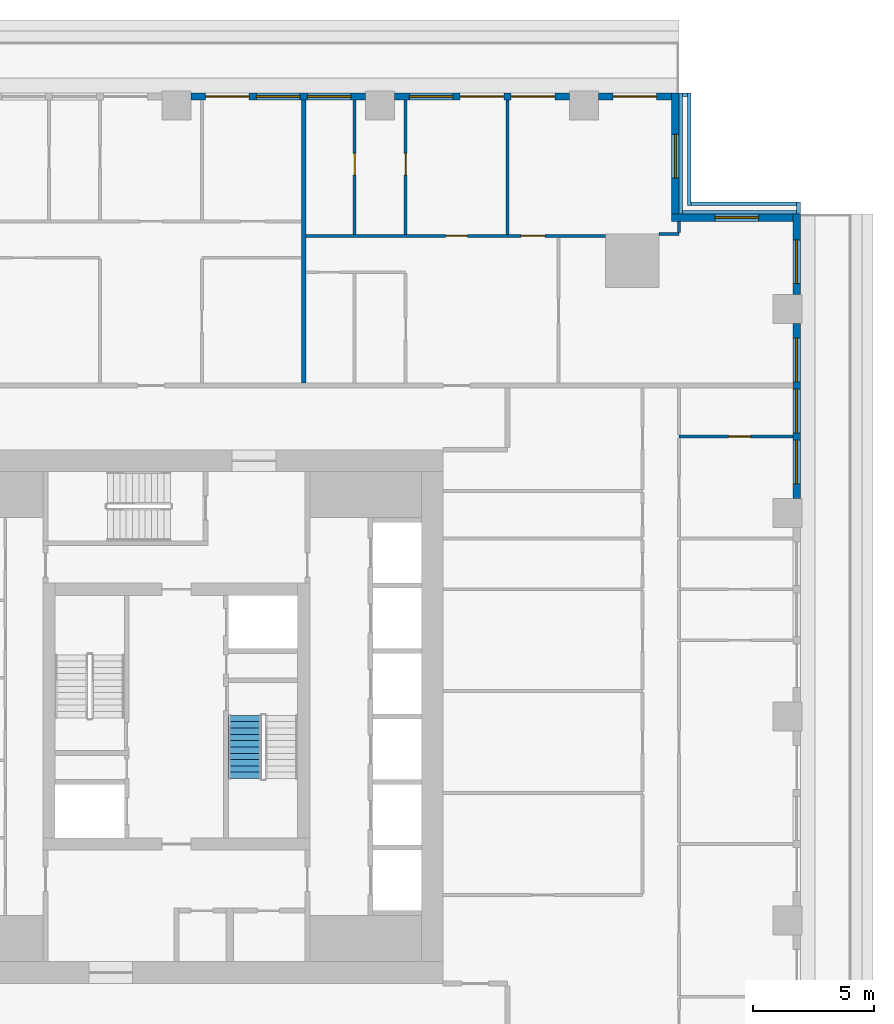
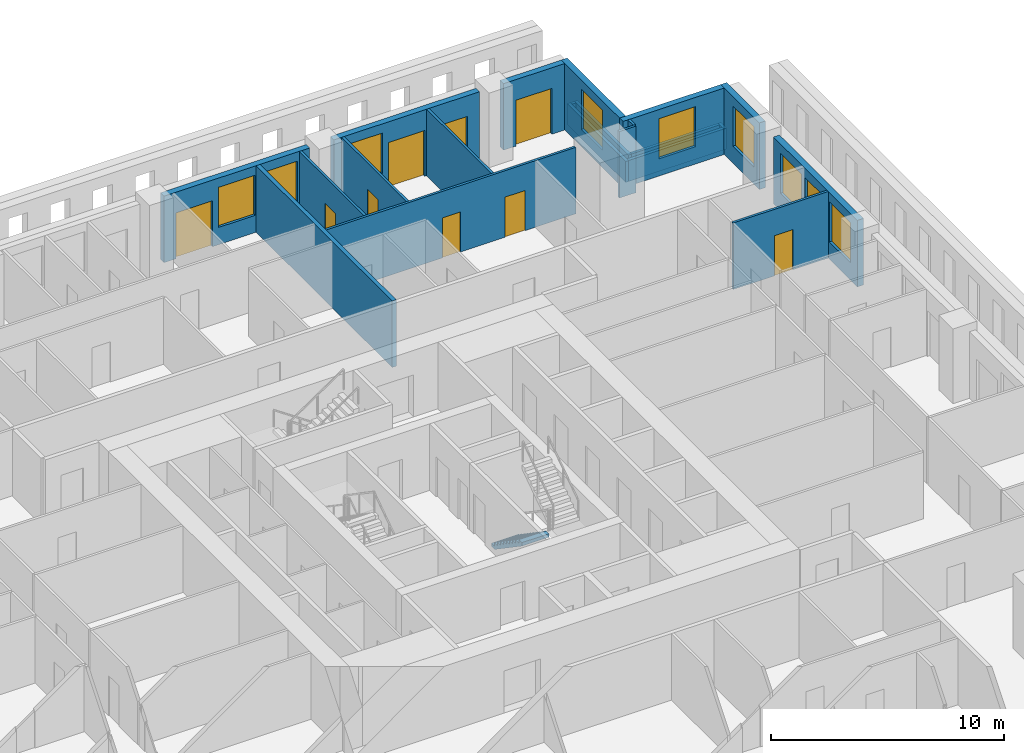
# One storey, part 10 of 16: 21 walls, 9 doors, 9 windows, 1 stair flight, 18 openings, 1 element without a shape of its own.
"""IFC4 building model written with IfcOpenShell, lengths in metres."""

from ifc_helpers import new_model, si_unit, direction, frame, frame_2d, origin, place, context, subcontext, project, spatial, polyline, rectangle, outline, extrude, material, layer, layer_set, type_object, element, fill, aggregate, save


model = new_model("IFC4")

# Units and contexts
model_context = context("Model", 3, precision=1e-05, world=origin(), true_north=direction((0.0, 1.0)))
body_context = subcontext(model_context, "Body", "Model", "MODEL_VIEW")
ifc_project = project(units=[si_unit("LENGTHUNIT", "METRE"), si_unit("AREAUNIT", "SQUARE_METRE"), si_unit("VOLUMEUNIT", "CUBIC_METRE"), si_unit("PLANEANGLEUNIT", "RADIAN"), si_unit("MASSUNIT", "GRAM", prefix="KILO")], contexts=[model_context])

# Site, building, storey
site_placement = place(None, origin())
site = spatial("IfcSite", under=ifc_project, at=site_placement, CompositionType="ELEMENT")
building_placement = place(site_placement, origin())
building = spatial("IfcBuilding", under=site, at=building_placement, Name="Khepri Terraces", CompositionType="ELEMENT")
storey_placement = place(building_placement, frame((0.0, 0.0, 240.60009765625)))
storey = spatial("IfcBuildingStorey", under=building, at=storey_placement, Name="L57", CompositionType="ELEMENT", Elevation=240.60009765625)

# Wall
ifc_material_1 = material(Name="Fire-rated gypsum plasterboard partition, mineral wool")
ifc_layer_1 = layer(ifc_material_1, 0.199951171875, Name="Fire-rated gypsum plasterboard partition, mineral wool")
ifc_layer_set_1 = layer_set([ifc_layer_1], Name="Fire-rated gypsum plasterboard partition, mineral wool")
wall_type_1 = type_object("IfcWallType", Name="WL-CORR-200", PredefinedType="PARTITIONING", material=ifc_layer_set_1)
wall_1_placement = place(storey_placement, frame((5.25, 13.75, 0.0), z_axis=(0.0, 0.0, 1.0), x_axis=(0.0, 1.0, 0.0)))
element("IfcWall", 1, at=wall_1_placement, inside=storey, type_object=wall_type_1, Name="Partition P-090 L57", PredefinedType="PARTITIONING", context=body_context, shape_type="SweptSolid", body=[
    extrude(rectangle(XDim=11.669921875, YDim=0.199951171875, at=frame_2d((5.8349609375, 0.0))), origin(), (0.0, 0.0, 1.0), 3.47998046875),
])

# Wall, openings, windows
ifc_material_2 = material(Name="Precast concrete C50/60 warm stone", Category="masonry")
ifc_layer_2 = layer(ifc_material_2, 0.300048828125, Name="Precast concrete C50/60 warm stone", Category="masonry")
ifc_layer_set_2 = layer_set([ifc_layer_2], Name="Precast concrete C50/60 warm stone")
wall_type_2 = type_object("IfcWallType", Name="WL-EXT-PRECAST-300", PredefinedType="STANDARD", material=ifc_layer_set_2)
wall_2_placement = place(storey_placement, frame((25.570068359375, 9.0, 0.0), z_axis=(0.0, 0.0, 1.0), x_axis=(0.0, 1.0, 0.0)))
wall_2 = element("IfcWall", 2, at=wall_2_placement, inside=storey, type_object=wall_type_2, Name="External wall L57 E", PredefinedType="STANDARD", context=body_context, shape_type="SweptSolid", body=[
    extrude(rectangle(XDim=7.199951171875, YDim=0.300048828125, at=frame_2d((3.60009765625, 0.0))), origin(), (0.0, 0.0, 1.0), 3.47998046875),
])
opening_1_placement = place(wall_2_placement, frame((0.60009765625, 0.0, 0.89990234375)))
opening_1 = element("IfcOpeningElement", 3, at=opening_1_placement, cuts=wall_2, Name="Opening W1", PredefinedType="OPENING", context=body_context, shape_type="SweptSolid", body=[
    extrude(rectangle(XDim=1.800048828125, YDim=2.10009765625, at=frame_2d((0.89990234375, 1.050048828125))), frame((0.0, 0.16015625, 0.0), z_axis=(0.0, -1.0, 0.0), x_axis=(1.0, 0.0, 0.0)), (0.0, 0.0, 1.0), 0.320068359375),
])
opening_2_placement = place(wall_2_placement, frame((2.699951171875, 0.0, 0.89990234375)))
opening_2 = element("IfcOpeningElement", 4, at=opening_2_placement, cuts=wall_2, Name="Opening W1", PredefinedType="OPENING", context=body_context, shape_type="SweptSolid", body=[
    extrude(rectangle(XDim=1.800048828125, YDim=2.10009765625, at=frame_2d((0.89990234375, 1.050048828125))), frame((0.0, 0.16015625, 0.0), z_axis=(0.0, -1.0, 0.0), x_axis=(1.0, 0.0, 0.0)), (0.0, 0.0, 1.0), 0.320068359375),
])
opening_3_placement = place(wall_2_placement, frame((4.800048828125, 0.0, 0.89990234375)))
opening_3 = element("IfcOpeningElement", 5, at=opening_3_placement, cuts=wall_2, Name="Opening W1", PredefinedType="OPENING", context=body_context, shape_type="SweptSolid", body=[
    extrude(rectangle(XDim=1.800048828125, YDim=2.10009765625, at=frame_2d((0.89990234375, 1.050048828125))), frame((0.0, 0.16015625, 0.0), z_axis=(0.0, -1.0, 0.0), x_axis=(1.0, 0.0, 0.0)), (0.0, 0.0, 1.0), 0.320068359375),
])
ifc_material_3 = material(Name="Clear glass", Category="glass")
window_type = type_object("IfcWindowType", Name="WIN-RES-1800x2100", PartitioningType="SINGLE_PANEL", PredefinedType="WINDOW", material=ifc_material_3)
window_1_placement = place(opening_1_placement, origin())
window_1 = element("IfcWindow", 6, at=window_1_placement, inside=storey, type_object=window_type, Name="Window L57 E", OverallHeight=2.10009765625, OverallWidth=1.800048828125, PartitioningType="SINGLE_PANEL", PredefinedType="WINDOW", context=body_context, shape_type="SweptSolid", body=[
    extrude(rectangle(XDim=1.800048828125, YDim=2.10009765625, at=frame_2d((0.89990234375, 1.050048828125))), frame((0.0, 0.030029296875, 0.0), z_axis=(0.0, -1.0, 0.0), x_axis=(1.0, 0.0, 0.0)), (0.0, 0.0, 1.0), 0.06005859375),
])
fill(opening_1, window_1)
window_2_placement = place(opening_2_placement, origin())
window_2 = element("IfcWindow", 7, at=window_2_placement, inside=storey, type_object=window_type, Name="Window L57 E", OverallHeight=2.10009765625, OverallWidth=1.800048828125, PartitioningType="SINGLE_PANEL", PredefinedType="WINDOW", context=body_context, shape_type="SweptSolid", body=[
    extrude(rectangle(XDim=1.800048828125, YDim=2.10009765625, at=frame_2d((0.89990234375, 1.050048828125))), frame((0.0, 0.030029296875, 0.0), z_axis=(0.0, -1.0, 0.0), x_axis=(1.0, 0.0, 0.0)), (0.0, 0.0, 1.0), 0.06005859375),
])
fill(opening_2, window_2)
window_3_placement = place(opening_3_placement, origin())
window_3 = element("IfcWindow", 8, at=window_3_placement, inside=storey, type_object=window_type, Name="Window L57 E", OverallHeight=2.10009765625, OverallWidth=1.800048828125, PartitioningType="SINGLE_PANEL", PredefinedType="WINDOW", context=body_context, shape_type="SweptSolid", body=[
    extrude(rectangle(XDim=1.800048828125, YDim=2.10009765625, at=frame_2d((0.89990234375, 1.050048828125))), frame((0.0, 0.030029296875, 0.0), z_axis=(0.0, -1.0, 0.0), x_axis=(1.0, 0.0, 0.0)), (0.0, 0.0, 1.0), 0.06005859375),
])
fill(opening_3, window_3)

# Wall, opening, window
wall_3_placement = place(storey_placement, frame((25.570068359375, 17.39990234375, 0.0), z_axis=(0.0, 0.0, 1.0), x_axis=(0.0, 1.0, 0.0)))
wall_3 = element("IfcWall", 9, at=wall_3_placement, inside=storey, type_object=wall_type_2, Name="External wall L57 E", PredefinedType="STANDARD", context=body_context, shape_type="SweptSolid", body=[
    extrude(rectangle(XDim=3.320068359375, YDim=0.300048828125, at=frame_2d((1.66015625, 0.0))), origin(), (0.0, 0.0, 1.0), 3.47998046875),
])
opening_4_placement = place(wall_3_placement, frame((0.45947265625, 0.0, 0.89990234375)))
opening_4 = element("IfcOpeningElement", 10, at=opening_4_placement, cuts=wall_3, Name="Opening W1", PredefinedType="OPENING", context=body_context, shape_type="SweptSolid", body=[
    extrude(rectangle(XDim=1.800048828125, YDim=2.10009765625, at=frame_2d((0.89990234375, 1.050048828125))), frame((0.0, 0.16015625, 0.0), z_axis=(0.0, -1.0, 0.0), x_axis=(1.0, 0.0, 0.0)), (0.0, 0.0, 1.0), 0.320068359375),
])
window_4_placement = place(opening_4_placement, origin())
window_4 = element("IfcWindow", 11, at=window_4_placement, inside=storey, type_object=window_type, Name="Window L57 E", OverallHeight=2.10009765625, OverallWidth=1.800048828125, PartitioningType="SINGLE_PANEL", PredefinedType="WINDOW", context=body_context, shape_type="SweptSolid", body=[
    extrude(rectangle(XDim=1.800048828125, YDim=2.10009765625, at=frame_2d((0.89990234375, 1.050048828125))), frame((0.0, 0.030029296875, 0.0), z_axis=(0.0, -1.0, 0.0), x_axis=(1.0, 0.0, 0.0)), (0.0, 0.0, 1.0), 0.06005859375),
])
fill(opening_4, window_4)

wall_4_placement = place(storey_placement, frame((25.419921875, 20.570068359375, 0.0), z_axis=(0.0, 0.0, 1.0), x_axis=(-1.0, 0.0, 0.0)))
wall_4 = element("IfcWall", 12, at=wall_4_placement, inside=storey, type_object=wall_type_2, Name="External wall L57 N", PredefinedType="STANDARD", context=body_context, shape_type="SweptSolid", body=[
    extrude(rectangle(XDim=5.0, YDim=0.300048828125, at=frame_2d((2.5, 0.0))), origin(), (0.0, 0.0, 1.0), 3.47998046875),
])
opening_5_placement = place(wall_4_placement, frame((1.419921875, 0.0, 0.89990234375)))
opening_5 = element("IfcOpeningElement", 13, at=opening_5_placement, cuts=wall_4, Name="Opening W1", PredefinedType="OPENING", context=body_context, shape_type="SweptSolid", body=[
    extrude(rectangle(XDim=1.800048828125, YDim=2.10009765625, at=frame_2d((0.89990234375, 1.050048828125))), frame((0.0, 0.16015625, 0.0), z_axis=(0.0, -1.0, 0.0), x_axis=(1.0, 0.0, 0.0)), (0.0, 0.0, 1.0), 0.320068359375),
])
window_5_placement = place(opening_5_placement, origin())
window_5 = element("IfcWindow", 14, at=window_5_placement, inside=storey, type_object=window_type, Name="Window L57 N", OverallHeight=2.10009765625, OverallWidth=1.800048828125, PartitioningType="SINGLE_PANEL", PredefinedType="WINDOW", context=body_context, shape_type="SweptSolid", body=[
    extrude(rectangle(XDim=1.800048828125, YDim=2.10009765625, at=frame_2d((0.89990234375, 1.050048828125))), frame((0.0, 0.030029296875, 0.0), z_axis=(0.0, -1.0, 0.0), x_axis=(1.0, 0.0, 0.0)), (0.0, 0.0, 1.0), 0.06005859375),
])
fill(opening_5, window_5)

wall_5_placement = place(storey_placement, frame((20.570068359375, 20.719970703125, 0.0), z_axis=(0.0, 0.0, 1.0), x_axis=(0.0, 1.0, 0.0)))
wall_5 = element("IfcWall", 15, at=wall_5_placement, inside=storey, type_object=wall_type_2, Name="External wall L57 E", PredefinedType="STANDARD", context=body_context, shape_type="SweptSolid", body=[
    extrude(rectangle(XDim=5.0, YDim=0.300048828125, at=frame_2d((2.5, 0.0))), origin(), (0.0, 0.0, 1.0), 3.47998046875),
])
opening_6_placement = place(wall_5_placement, frame((1.47998046875, 0.0, 0.89990234375)))
opening_6 = element("IfcOpeningElement", 16, at=opening_6_placement, cuts=wall_5, Name="Opening W1", PredefinedType="OPENING", context=body_context, shape_type="SweptSolid", body=[
    extrude(rectangle(XDim=1.800048828125, YDim=2.10009765625, at=frame_2d((0.89990234375, 1.050048828125))), frame((0.0, 0.16015625, 0.0), z_axis=(0.0, -1.0, 0.0), x_axis=(1.0, 0.0, 0.0)), (0.0, 0.0, 1.0), 0.320068359375),
])
window_6_placement = place(opening_6_placement, origin())
window_6 = element("IfcWindow", 17, at=window_6_placement, inside=storey, type_object=window_type, Name="Window L57 E", OverallHeight=2.10009765625, OverallWidth=1.800048828125, PartitioningType="SINGLE_PANEL", PredefinedType="WINDOW", context=body_context, shape_type="SweptSolid", body=[
    extrude(rectangle(XDim=1.800048828125, YDim=2.10009765625, at=frame_2d((0.89990234375, 1.050048828125))), frame((0.0, 0.030029296875, 0.0), z_axis=(0.0, -1.0, 0.0), x_axis=(1.0, 0.0, 0.0)), (0.0, 0.0, 1.0), 0.06005859375),
])
fill(opening_6, window_6)

# Wall, opening, door
wall_6_placement = place(storey_placement, frame((20.419921875, 25.570068359375, 0.0), z_axis=(0.0, 0.0, 1.0), x_axis=(-1.0, 0.0, 0.0)))
wall_6 = element("IfcWall", 18, at=wall_6_placement, inside=storey, type_object=wall_type_2, Name="External wall L57 N", PredefinedType="STANDARD", context=body_context, shape_type="SweptSolid", body=[
    extrude(rectangle(XDim=3.02001953125, YDim=0.300048828125, at=frame_2d((1.510009765625, 0.0))), origin(), (0.0, 0.0, 1.0), 3.47998046875),
])
opening_7_placement = place(wall_6_placement, frame((0.6201171875, 0.0, 0.0)))
opening_7 = element("IfcOpeningElement", 19, at=opening_7_placement, cuts=wall_6, Name="Opening ED-L57-07", PredefinedType="OPENING", context=body_context, shape_type="SweptSolid", body=[
    extrude(rectangle(XDim=1.800048828125, YDim=2.39990234375, at=frame_2d((0.89990234375, 1.199951171875))), frame((0.0, 0.16015625, 0.0), z_axis=(0.0, -1.0, 0.0), x_axis=(1.0, 0.0, 0.0)), (0.0, 0.0, 1.0), 0.320068359375),
])
ifc_material_4 = material(Name="Anodised aluminium bronze glazed door", Category="aluminium")
door_type_1 = type_object("IfcDoorType", Name="DR-BAL-SLIDE-1800x2400", OperationType="NOTDEFINED", PredefinedType="DOOR", material=ifc_material_4)
door_1_placement = place(opening_7_placement, origin())
door_1 = element("IfcDoor", 20, at=door_1_placement, inside=storey, type_object=door_type_1, Name="Balcony door L57 N", OperationType="SLIDING_TO_RIGHT", OverallHeight=2.39990234375, OverallWidth=1.800048828125, PredefinedType="DOOR", context=body_context, shape_type="SweptSolid", body=[
    extrude(rectangle(XDim=1.800048828125, YDim=2.39990234375, at=frame_2d((0.89990234375, 1.199951171875))), frame((0.0, 0.02490234375, 0.0), z_axis=(0.0, -1.0, 0.0), x_axis=(1.0, 0.0, 0.0)), (0.0, 0.0, 1.0), 0.050048828125),
])
fill(opening_7, door_1)

# Wall, openings, doors, window
wall_7_placement = place(storey_placement, frame((16.199951171875, 25.570068359375, 0.0), z_axis=(0.0, 0.0, 1.0), x_axis=(-1.0, 0.0, 0.0)))
wall_7 = element("IfcWall", 21, at=wall_7_placement, inside=storey, type_object=wall_type_2, Name="External wall L57 N", PredefinedType="STANDARD", context=body_context, shape_type="SweptSolid", body=[
    extrude(rectangle(XDim=7.199951171875, YDim=0.300048828125, at=frame_2d((3.60009765625, 0.0))), origin(), (0.0, 0.0, 1.0), 3.47998046875),
])
opening_8_placement = place(wall_7_placement, frame((0.60009765625, 0.0, 0.0)))
opening_8 = element("IfcOpeningElement", 22, at=opening_8_placement, cuts=wall_7, Name="Opening ED-L57-08", PredefinedType="OPENING", context=body_context, shape_type="SweptSolid", body=[
    extrude(rectangle(XDim=1.800048828125, YDim=2.39990234375, at=frame_2d((0.89990234375, 1.199951171875))), frame((0.0, 0.16015625, 0.0), z_axis=(0.0, -1.0, 0.0), x_axis=(1.0, 0.0, 0.0)), (0.0, 0.0, 1.0), 0.320068359375),
])
opening_9_placement = place(wall_7_placement, frame((2.699951171875, 0.0, 0.0)))
opening_9 = element("IfcOpeningElement", 23, at=opening_9_placement, cuts=wall_7, Name="Opening ED-L57-09", PredefinedType="OPENING", context=body_context, shape_type="SweptSolid", body=[
    extrude(rectangle(XDim=1.800048828125, YDim=2.39990234375, at=frame_2d((0.89990234375, 1.199951171875))), frame((0.0, 0.16015625, 0.0), z_axis=(0.0, -1.0, 0.0), x_axis=(1.0, 0.0, 0.0)), (0.0, 0.0, 1.0), 0.320068359375),
])
opening_10_placement = place(wall_7_placement, frame((4.800048828125, 0.0, 0.89990234375)))
opening_10 = element("IfcOpeningElement", 24, at=opening_10_placement, cuts=wall_7, Name="Opening W1", PredefinedType="OPENING", context=body_context, shape_type="SweptSolid", body=[
    extrude(rectangle(XDim=1.800048828125, YDim=2.10009765625, at=frame_2d((0.89990234375, 1.050048828125))), frame((0.0, 0.16015625, 0.0), z_axis=(0.0, -1.0, 0.0), x_axis=(1.0, 0.0, 0.0)), (0.0, 0.0, 1.0), 0.320068359375),
])
door_2_placement = place(opening_8_placement, origin())
door_2 = element("IfcDoor", 25, at=door_2_placement, inside=storey, type_object=door_type_1, Name="Balcony door L57 N", OperationType="SLIDING_TO_LEFT", OverallHeight=2.39990234375, OverallWidth=1.800048828125, PredefinedType="DOOR", context=body_context, shape_type="SweptSolid", body=[
    extrude(rectangle(XDim=1.800048828125, YDim=2.39990234375, at=frame_2d((0.89990234375, 1.199951171875))), frame((0.0, 0.02490234375, 0.0), z_axis=(0.0, -1.0, 0.0), x_axis=(1.0, 0.0, 0.0)), (0.0, 0.0, 1.0), 0.050048828125),
])
fill(opening_8, door_2)
door_3_placement = place(opening_9_placement, origin())
door_3 = element("IfcDoor", 26, at=door_3_placement, inside=storey, type_object=door_type_1, Name="Balcony door L57 N", OperationType="SLIDING_TO_RIGHT", OverallHeight=2.39990234375, OverallWidth=1.800048828125, PredefinedType="DOOR", context=body_context, shape_type="SweptSolid", body=[
    extrude(rectangle(XDim=1.800048828125, YDim=2.39990234375, at=frame_2d((0.89990234375, 1.199951171875))), frame((0.0, 0.02490234375, 0.0), z_axis=(0.0, -1.0, 0.0), x_axis=(1.0, 0.0, 0.0)), (0.0, 0.0, 1.0), 0.050048828125),
])
fill(opening_9, door_3)
window_7_placement = place(opening_10_placement, origin())
window_7 = element("IfcWindow", 27, at=window_7_placement, inside=storey, type_object=window_type, Name="Window L57 N", OverallHeight=2.10009765625, OverallWidth=1.800048828125, PartitioningType="SINGLE_PANEL", PredefinedType="WINDOW", context=body_context, shape_type="SweptSolid", body=[
    extrude(rectangle(XDim=1.800048828125, YDim=2.10009765625, at=frame_2d((0.89990234375, 1.050048828125))), frame((0.0, 0.030029296875, 0.0), z_axis=(0.0, -1.0, 0.0), x_axis=(1.0, 0.0, 0.0)), (0.0, 0.0, 1.0), 0.06005859375),
])
fill(opening_10, window_7)

# Wall, openings, door, windows
wall_8_placement = place(storey_placement, frame((7.800048828125, 25.570068359375, 0.0), z_axis=(0.0, 0.0, 1.0), x_axis=(-1.0, 0.0, 0.0)))
wall_8 = element("IfcWall", 28, at=wall_8_placement, inside=storey, type_object=wall_type_2, Name="External wall L57 N", PredefinedType="STANDARD", context=body_context, shape_type="SweptSolid", body=[
    extrude(rectangle(XDim=7.199951171875, YDim=0.300048828125, at=frame_2d((3.60009765625, 0.0))), origin(), (0.0, 0.0, 1.0), 3.47998046875),
])
opening_11_placement = place(wall_8_placement, frame((0.60009765625, 0.0, 0.89990234375)))
opening_11 = element("IfcOpeningElement", 29, at=opening_11_placement, cuts=wall_8, Name="Opening W1", PredefinedType="OPENING", context=body_context, shape_type="SweptSolid", body=[
    extrude(rectangle(XDim=1.800048828125, YDim=2.10009765625, at=frame_2d((0.89990234375, 1.050048828125))), frame((0.0, 0.16015625, 0.0), z_axis=(0.0, -1.0, 0.0), x_axis=(1.0, 0.0, 0.0)), (0.0, 0.0, 1.0), 0.320068359375),
])
opening_12_placement = place(wall_8_placement, frame((2.699951171875, 0.0, 0.89990234375)))
opening_12 = element("IfcOpeningElement", 30, at=opening_12_placement, cuts=wall_8, Name="Opening W1", PredefinedType="OPENING", context=body_context, shape_type="SweptSolid", body=[
    extrude(rectangle(XDim=1.800048828125, YDim=2.10009765625, at=frame_2d((0.89990234375, 1.050048828125))), frame((0.0, 0.16015625, 0.0), z_axis=(0.0, -1.0, 0.0), x_axis=(1.0, 0.0, 0.0)), (0.0, 0.0, 1.0), 0.320068359375),
])
opening_13_placement = place(wall_8_placement, frame((4.800048828125, 0.0, 0.0)))
opening_13 = element("IfcOpeningElement", 31, at=opening_13_placement, cuts=wall_8, Name="Opening ED-L57-10", PredefinedType="OPENING", context=body_context, shape_type="SweptSolid", body=[
    extrude(rectangle(XDim=1.800048828125, YDim=2.39990234375, at=frame_2d((0.89990234375, 1.199951171875))), frame((0.0, 0.16015625, 0.0), z_axis=(0.0, -1.0, 0.0), x_axis=(1.0, 0.0, 0.0)), (0.0, 0.0, 1.0), 0.320068359375),
])
door_4_placement = place(opening_13_placement, origin())
door_4 = element("IfcDoor", 32, at=door_4_placement, inside=storey, type_object=door_type_1, Name="Balcony door L57 N", OperationType="SLIDING_TO_RIGHT", OverallHeight=2.39990234375, OverallWidth=1.800048828125, PredefinedType="DOOR", context=body_context, shape_type="SweptSolid", body=[
    extrude(rectangle(XDim=1.800048828125, YDim=2.39990234375, at=frame_2d((0.89990234375, 1.199951171875))), frame((0.0, 0.02490234375, 0.0), z_axis=(0.0, -1.0, 0.0), x_axis=(1.0, 0.0, 0.0)), (0.0, 0.0, 1.0), 0.050048828125),
])
fill(opening_13, door_4)
window_8_placement = place(opening_11_placement, origin())
window_8 = element("IfcWindow", 33, at=window_8_placement, inside=storey, type_object=window_type, Name="Window L57 N", OverallHeight=2.10009765625, OverallWidth=1.800048828125, PartitioningType="SINGLE_PANEL", PredefinedType="WINDOW", context=body_context, shape_type="SweptSolid", body=[
    extrude(rectangle(XDim=1.800048828125, YDim=2.10009765625, at=frame_2d((0.89990234375, 1.050048828125))), frame((0.0, 0.030029296875, 0.0), z_axis=(0.0, -1.0, 0.0), x_axis=(1.0, 0.0, 0.0)), (0.0, 0.0, 1.0), 0.06005859375),
])
fill(opening_11, window_8)
window_9_placement = place(opening_12_placement, origin())
window_9 = element("IfcWindow", 34, at=window_9_placement, inside=storey, type_object=window_type, Name="Window L57 N", OverallHeight=2.10009765625, OverallWidth=1.800048828125, PartitioningType="SINGLE_PANEL", PredefinedType="WINDOW", context=body_context, shape_type="SweptSolid", body=[
    extrude(rectangle(XDim=1.800048828125, YDim=2.10009765625, at=frame_2d((0.89990234375, 1.050048828125))), frame((0.0, 0.030029296875, 0.0), z_axis=(0.0, -1.0, 0.0), x_axis=(1.0, 0.0, 0.0)), (0.0, 0.0, 1.0), 0.06005859375),
])
fill(opening_12, window_9)

# Walls
ifc_layer_3 = layer(ifc_material_2, 0.14990234375, Name="Precast concrete C50/60 warm stone", Category="masonry")
ifc_layer_set_3 = layer_set([ifc_layer_3], Name="Precast concrete C50/60 warm stone")
wall_type_3 = type_object("IfcWallType", Name="WL-PARAPET-150", PredefinedType="PARAPET", material=ifc_layer_set_3)
wall_9_placement = place(storey_placement, frame((20.794921875, 20.719970703125, 0.0), z_axis=(0.0, 0.0, 1.0), x_axis=(0.0, 1.0, 0.0)))
element("IfcWall", 35, at=wall_9_placement, inside=storey, type_object=wall_type_3, Name="Ledge parapet L57", PredefinedType="PARAPET", context=body_context, shape_type="SweptSolid", body=[
    extrude(rectangle(XDim=5.0, YDim=0.14990234375, at=frame_2d((2.5, 0.0))), origin(), (0.0, 0.0, 1.0), 1.099853515625),
])
wall_10_placement = place(storey_placement, frame((20.8701171875, 25.64501953125, 0.0), z_axis=(0.0, 0.0, 1.0), x_axis=(1.0, 0.0, 0.0)))
element("IfcWall", 36, at=wall_10_placement, inside=storey, type_object=wall_type_3, Name="Ledge parapet L57", PredefinedType="PARAPET", context=body_context, shape_type="SweptSolid", body=[
    extrude(rectangle(XDim=0.199951171875, YDim=0.14990234375, at=frame_2d((0.10009765625, 0.0))), origin(), (0.0, 0.0, 1.0), 1.099853515625),
])
wall_11_placement = place(storey_placement, frame((20.8701171875, 20.794921875, 0.0), z_axis=(0.0, 0.0, 1.0), x_axis=(1.0, 0.0, 0.0)))
element("IfcWall", 37, at=wall_11_placement, inside=storey, type_object=wall_type_3, Name="Ledge parapet L57", PredefinedType="PARAPET", context=body_context, shape_type="SweptSolid", body=[
    extrude(rectangle(XDim=4.699951171875, YDim=0.14990234375, at=frame_2d((2.35009765625, 0.0))), origin(), (0.0, 0.0, 1.0), 1.099853515625),
])
wall_12_placement = place(storey_placement, frame((21.14501953125, 21.070068359375, 0.0), z_axis=(0.0, 0.0, 1.0), x_axis=(0.0, 1.0, 0.0)))
element("IfcWall", 38, at=wall_12_placement, inside=storey, type_object=wall_type_3, Name="Ledge parapet L57", PredefinedType="PARAPET", context=body_context, shape_type="SweptSolid", body=[
    extrude(rectangle(XDim=4.64990234375, YDim=0.14990234375, at=frame_2d((2.324951171875, 0.0))), origin(), (0.0, 0.0, 1.0), 1.099853515625),
])
wall_13_placement = place(storey_placement, frame((21.219970703125, 21.14501953125, 0.0), z_axis=(0.0, 0.0, 1.0), x_axis=(1.0, 0.0, 0.0)))
element("IfcWall", 39, at=wall_13_placement, inside=storey, type_object=wall_type_3, Name="Ledge parapet L57", PredefinedType="PARAPET", context=body_context, shape_type="SweptSolid", body=[
    extrude(rectangle(XDim=4.35009765625, YDim=0.14990234375, at=frame_2d((2.175048828125, 0.0))), origin(), (0.0, 0.0, 1.0), 1.099853515625),
])
wall_14_placement = place(storey_placement, frame((25.64501953125, 20.719970703125, 0.0), z_axis=(0.0, 0.0, 1.0), x_axis=(0.0, 1.0, 0.0)))
element("IfcWall", 40, at=wall_14_placement, inside=storey, type_object=wall_type_3, Name="Ledge parapet L57", PredefinedType="PARAPET", context=body_context, shape_type="SweptSolid", body=[
    extrude(rectangle(XDim=0.5, YDim=0.14990234375, at=frame_2d((0.25, 0.0))), origin(), (0.0, 0.0, 1.0), 1.099853515625),
])

# Wall, opening, door
ifc_material_5 = material(Name="Gypsum plasterboard partition")
ifc_layer_4 = layer(ifc_material_5, 0.1201171875, Name="Gypsum plasterboard partition")
ifc_layer_set_4 = layer_set([ifc_layer_4], Name="Gypsum plasterboard partition")
wall_type_4 = type_object("IfcWallType", Name="WL-PART-120", PredefinedType="PARTITIONING", material=ifc_layer_set_4)
wall_15_placement = place(storey_placement, frame((20.719970703125, 11.550048828125, 0.0), z_axis=(0.0, 0.0, 1.0), x_axis=(1.0, 0.0, 0.0)))
wall_15 = element("IfcWall", 41, at=wall_15_placement, inside=storey, type_object=wall_type_4, Name="Partition P-079 L57", PredefinedType="PARTITIONING", context=body_context, shape_type="SweptSolid", body=[
    extrude(rectangle(XDim=4.699951171875, YDim=0.1201171875, at=frame_2d((2.35009765625, 0.0))), origin(), (0.0, 0.0, 1.0), 3.47998046875),
])
opening_14_placement = place(wall_15_placement, frame((2.050048828125, 0.0, 0.0)))
opening_14 = element("IfcOpeningElement", 42, at=opening_14_placement, cuts=wall_15, Name="Opening D4", PredefinedType="OPENING", context=body_context, shape_type="SweptSolid", body=[
    extrude(rectangle(XDim=0.89990234375, YDim=2.10009765625, at=frame_2d((0.449951171875, 1.050048828125))), frame((0.0, 0.070068359375, 0.0), z_axis=(0.0, -1.0, 0.0), x_axis=(1.0, 0.0, 0.0)), (0.0, 0.0, 1.0), 0.14013671875),
])
ifc_material_6 = material(Name="Timber door leaf, moisture resistant", Category="wood")
door_type_2 = type_object("IfcDoorType", Name="DR-WET-900", OperationType="NOTDEFINED", PredefinedType="DOOR", material=ifc_material_6)
door_5_placement = place(opening_14_placement, origin())
door_5 = element("IfcDoor", 43, at=door_5_placement, inside=storey, type_object=door_type_2, Name="Door Bathroom", OperationType="SINGLE_SWING_RIGHT", OverallHeight=2.10009765625, OverallWidth=0.89990234375, PredefinedType="DOOR", context=body_context, shape_type="SweptSolid", body=[
    extrude(rectangle(XDim=0.89990234375, YDim=2.10009765625, at=frame_2d((0.449951171875, 1.050048828125))), frame((0.0, 0.02490234375, 0.0), z_axis=(0.0, -1.0, 0.0), x_axis=(1.0, 0.0, 0.0)), (0.0, 0.0, 1.0), 0.050048828125),
])
fill(opening_14, door_5)

# Wall, openings, doors
wall_16_placement = place(storey_placement, frame((5.35009765625, 19.820068359375, 0.0), z_axis=(0.0, 0.0, 1.0), x_axis=(1.0, 0.0, 0.0)))
wall_16 = element("IfcWall", 44, at=wall_16_placement, inside=storey, type_object=wall_type_4, Name="Partition P-097 L57", PredefinedType="PARTITIONING", context=body_context, shape_type="SweptSolid", body=[
    extrude(rectangle(XDim=12.349853515625, YDim=0.1201171875, at=frame_2d((6.1748046875, 0.0))), origin(), (0.0, 0.0, 1.0), 3.47998046875),
])
opening_15_placement = place(wall_16_placement, frame((8.85009765625, 0.0, 0.0)))
opening_15 = element("IfcOpeningElement", 45, at=opening_15_placement, cuts=wall_16, Name="Opening D2", PredefinedType="OPENING", context=body_context, shape_type="SweptSolid", body=[
    extrude(rectangle(XDim=1.0, YDim=2.10009765625, at=frame_2d((0.5, 1.050048828125))), frame((0.0, 0.070068359375, 0.0), z_axis=(0.0, -1.0, 0.0), x_axis=(1.0, 0.0, 0.0)), (0.0, 0.0, 1.0), 0.14013671875),
])
opening_16_placement = place(wall_16_placement, frame((5.75, 0.0, 0.0)))
opening_16 = element("IfcOpeningElement", 46, at=opening_16_placement, cuts=wall_16, Name="Opening D3", PredefinedType="OPENING", context=body_context, shape_type="SweptSolid", body=[
    extrude(rectangle(XDim=0.89990234375, YDim=2.10009765625, at=frame_2d((0.449951171875, 1.050048828125))), frame((0.0, 0.070068359375, 0.0), z_axis=(0.0, -1.0, 0.0), x_axis=(1.0, 0.0, 0.0)), (0.0, 0.0, 1.0), 0.14013671875),
])
ifc_material_7 = material(Name="Timber door leaf, living room door", Category="wood")
door_type_3 = type_object("IfcDoorType", Name="DR-INT-1000", OperationType="NOTDEFINED", PredefinedType="DOOR", material=ifc_material_7)
door_6_placement = place(opening_15_placement, origin())
door_6 = element("IfcDoor", 47, at=door_6_placement, inside=storey, type_object=door_type_3, Name="Door Living Room", OperationType="SINGLE_SWING_RIGHT", OverallHeight=2.10009765625, OverallWidth=1.0, PredefinedType="DOOR", context=body_context, shape_type="SweptSolid", body=[
    extrude(rectangle(XDim=1.0, YDim=2.10009765625, at=frame_2d((0.5, 1.050048828125))), frame((0.0, 0.02490234375, 0.0), z_axis=(0.0, -1.0, 0.0), x_axis=(1.0, 0.0, 0.0)), (0.0, 0.0, 1.0), 0.050048828125),
])
fill(opening_15, door_6)
ifc_material_8 = material(Name="Timber door leaf", Category="wood")
door_type_4 = type_object("IfcDoorType", Name="DR-INT-900", OperationType="NOTDEFINED", PredefinedType="DOOR", material=ifc_material_8)
door_7_placement = place(opening_16_placement, origin())
door_7 = element("IfcDoor", 48, at=door_7_placement, inside=storey, type_object=door_type_4, Name="Door Master Bedroom", OperationType="SINGLE_SWING_RIGHT", OverallHeight=2.10009765625, OverallWidth=0.89990234375, PredefinedType="DOOR", context=body_context, shape_type="SweptSolid", body=[
    extrude(rectangle(XDim=0.89990234375, YDim=2.10009765625, at=frame_2d((0.449951171875, 1.050048828125))), frame((0.0, 0.02490234375, 0.0), z_axis=(0.0, -1.0, 0.0), x_axis=(1.0, 0.0, 0.0)), (0.0, 0.0, 1.0), 0.050048828125),
])
fill(opening_16, door_7)

# Wall, opening, door
wall_17_placement = place(storey_placement, frame((7.35009765625, 19.8798828125, 0.0), z_axis=(0.0, 0.0, 1.0), x_axis=(0.0, 1.0, 0.0)))
wall_17 = element("IfcWall", 49, at=wall_17_placement, inside=storey, type_object=wall_type_4, Name="Partition P-098 L57", PredefinedType="PARTITIONING", context=body_context, shape_type="SweptSolid", body=[
    extrude(rectangle(XDim=5.5400390625, YDim=0.1201171875, at=frame_2d((2.77001953125, 0.0))), origin(), (0.0, 0.0, 1.0), 3.47998046875),
])
opening_17_placement = place(wall_17_placement, frame((2.43994140625, 0.0, 0.0)))
opening_17 = element("IfcOpeningElement", 50, at=opening_17_placement, cuts=wall_17, Name="Opening D4", PredefinedType="OPENING", context=body_context, shape_type="SweptSolid", body=[
    extrude(rectangle(XDim=0.89990234375, YDim=2.10009765625, at=frame_2d((0.449951171875, 1.050048828125))), frame((0.0, 0.070068359375, 0.0), z_axis=(0.0, -1.0, 0.0), x_axis=(1.0, 0.0, 0.0)), (0.0, 0.0, 1.0), 0.14013671875),
])
door_8_placement = place(opening_17_placement, origin())
door_8 = element("IfcDoor", 51, at=door_8_placement, inside=storey, type_object=door_type_2, Name="Door Bathroom", OperationType="SINGLE_SWING_RIGHT", OverallHeight=2.10009765625, OverallWidth=0.89990234375, PredefinedType="DOOR", context=body_context, shape_type="SweptSolid", body=[
    extrude(rectangle(XDim=0.89990234375, YDim=2.10009765625, at=frame_2d((0.449951171875, 1.050048828125))), frame((0.0, 0.02490234375, 0.0), z_axis=(0.0, -1.0, 0.0), x_axis=(1.0, 0.0, 0.0)), (0.0, 0.0, 1.0), 0.050048828125),
])
fill(opening_17, door_8)

wall_18_placement = place(storey_placement, frame((9.449951171875, 19.8798828125, 0.0), z_axis=(0.0, 0.0, 1.0), x_axis=(0.0, 1.0, 0.0)))
wall_18 = element("IfcWall", 52, at=wall_18_placement, inside=storey, type_object=wall_type_4, Name="Partition P-099 L57", PredefinedType="PARTITIONING", context=body_context, shape_type="SweptSolid", body=[
    extrude(rectangle(XDim=5.5400390625, YDim=0.1201171875, at=frame_2d((2.77001953125, 0.0))), origin(), (0.0, 0.0, 1.0), 3.47998046875),
])
opening_18_placement = place(wall_18_placement, frame((2.43994140625, 0.0, 0.0)))
opening_18 = element("IfcOpeningElement", 53, at=opening_18_placement, cuts=wall_18, Name="Opening D3", PredefinedType="OPENING", context=body_context, shape_type="SweptSolid", body=[
    extrude(rectangle(XDim=0.89990234375, YDim=2.10009765625, at=frame_2d((0.449951171875, 1.050048828125))), frame((0.0, 0.070068359375, 0.0), z_axis=(0.0, -1.0, 0.0), x_axis=(1.0, 0.0, 0.0)), (0.0, 0.0, 1.0), 0.14013671875),
])
door_9_placement = place(opening_18_placement, origin())
door_9 = element("IfcDoor", 54, at=door_9_placement, inside=storey, type_object=door_type_4, Name="Door Dressing Room", OperationType="SINGLE_SWING_RIGHT", OverallHeight=2.10009765625, OverallWidth=0.89990234375, PredefinedType="DOOR", context=body_context, shape_type="SweptSolid", body=[
    extrude(rectangle(XDim=0.89990234375, YDim=2.10009765625, at=frame_2d((0.449951171875, 1.050048828125))), frame((0.0, 0.02490234375, 0.0), z_axis=(0.0, -1.0, 0.0), x_axis=(1.0, 0.0, 0.0)), (0.0, 0.0, 1.0), 0.050048828125),
])
fill(opening_18, door_9)

# Walls
wall_19_placement = place(storey_placement, frame((13.64990234375, 19.8798828125, 0.0), z_axis=(0.0, 0.0, 1.0), x_axis=(0.0, 1.0, 0.0)))
element("IfcWall", 55, at=wall_19_placement, inside=storey, type_object=wall_type_4, Name="Partition P-100 L57", PredefinedType="PARTITIONING", context=body_context, shape_type="SweptSolid", body=[
    extrude(rectangle(XDim=5.5400390625, YDim=0.1201171875, at=frame_2d((2.77001953125, 0.0))), origin(), (0.0, 0.0, 1.0), 3.47998046875),
])
wall_20_placement = place(storey_placement, frame((19.89990234375, 19.90087890625, 0.0), z_axis=(0.0, 0.0, 1.0), x_axis=(1.0, 0.0, 0.0)))
element("IfcWall", 56, at=wall_20_placement, inside=storey, type_object=wall_type_4, Name="Partition P-102 L57", PredefinedType="PARTITIONING", context=body_context, shape_type="SweptSolid", body=[
    extrude(rectangle(XDim=0.819091796875, YDim=0.1201171875, at=frame_2d((0.40966796875, 0.0))), origin(), (0.0, 0.0, 1.0), 3.47998046875),
])
wall_21_placement = place(storey_placement, frame((20.718994140625, 19.9609375, 0.0), z_axis=(0.0, 0.0, 1.0), x_axis=(0.0, 1.0, 0.0)))
element("IfcWall", 57, at=wall_21_placement, inside=storey, type_object=wall_type_4, Name="Partition P-103 L57", PredefinedType="PARTITIONING", context=body_context, shape_type="SweptSolid", body=[
    extrude(rectangle(XDim=0.4599609375, YDim=0.1201171875, at=frame_2d((0.22998046875, 0.0))), origin(), (0.0, 0.0, 1.0), 3.47998046875),
])

# Stair, stair flight
ifc_material_9 = material(Name="Concrete C40/50", Category="concrete")
stair_type = type_object("IfcStairType", Name="STAIR-RC-22R", PredefinedType="HALF_TURN_STAIR", material=ifc_material_9)
stair_placement = place(storey_placement, origin())
stair = element("IfcStair", 58, at=stair_placement, inside=storey, type_object=stair_type, Name="L57 Exit Stair ST-2", PredefinedType="HALF_TURN_STAIR")
stair_flight_type = type_object("IfcStairFlightType", Name="SFL-RC-177.3", PredefinedType="STRAIGHT", material=ifc_material_9)
stair_flight_placement = place(storey_placement, frame((2.824951171875, 0.050048828125, 0.0), z_axis=(0.0, 0.0, 1.0), x_axis=(0.0, -1.0, 0.0)))
stair_flight = element("IfcStairFlight", 59, at=stair_flight_placement, type_object=stair_flight_type, Name="ST-2 flight 1", NumberOfRisers=11, NumberOfTreads=10, PredefinedType="STRAIGHT", RiserHeight=0.177272727, TreadLength=0.26, context=body_context, shape_type="SweptSolid", body=[
    extrude(outline(polyline([(0.0, 0.0), (0.0, 0.17724609375), (0.260009765625, 0.17724609375), (0.260009765625, 0.3544921875), (0.52001953125, 0.3544921875), (0.52001953125, 0.53173828125), (0.780029296875, 0.53173828125), (0.780029296875, 0.708984375), (1.0400390625, 0.708984375), (1.0400390625, 0.886474609375), (1.300048828125, 0.886474609375), (1.300048828125, 1.063720703125), (1.56005859375, 1.063720703125), (1.56005859375, 1.240966796875), (1.820068359375, 1.240966796875), (1.820068359375, 1.418212890625), (2.080078125, 1.418212890625), (2.080078125, 1.595458984375), (2.340087890625, 1.595458984375), (2.340087890625, 1.772705078125), (2.60009765625, 1.772705078125), (2.60009765625, 1.949951171875), (2.60009765625, 1.59130859375), (0.26611328125, 0.0), (0.0, 0.0)])), frame((0.0, 0.675048828125, 0.0), z_axis=(0.0, -1.0, 0.0), x_axis=(1.0, 0.0, 0.0)), (0.0, 0.0, 1.0), 1.35009765625),
])
aggregate(stair, [stair_flight])

save(model, "model.ifc")
